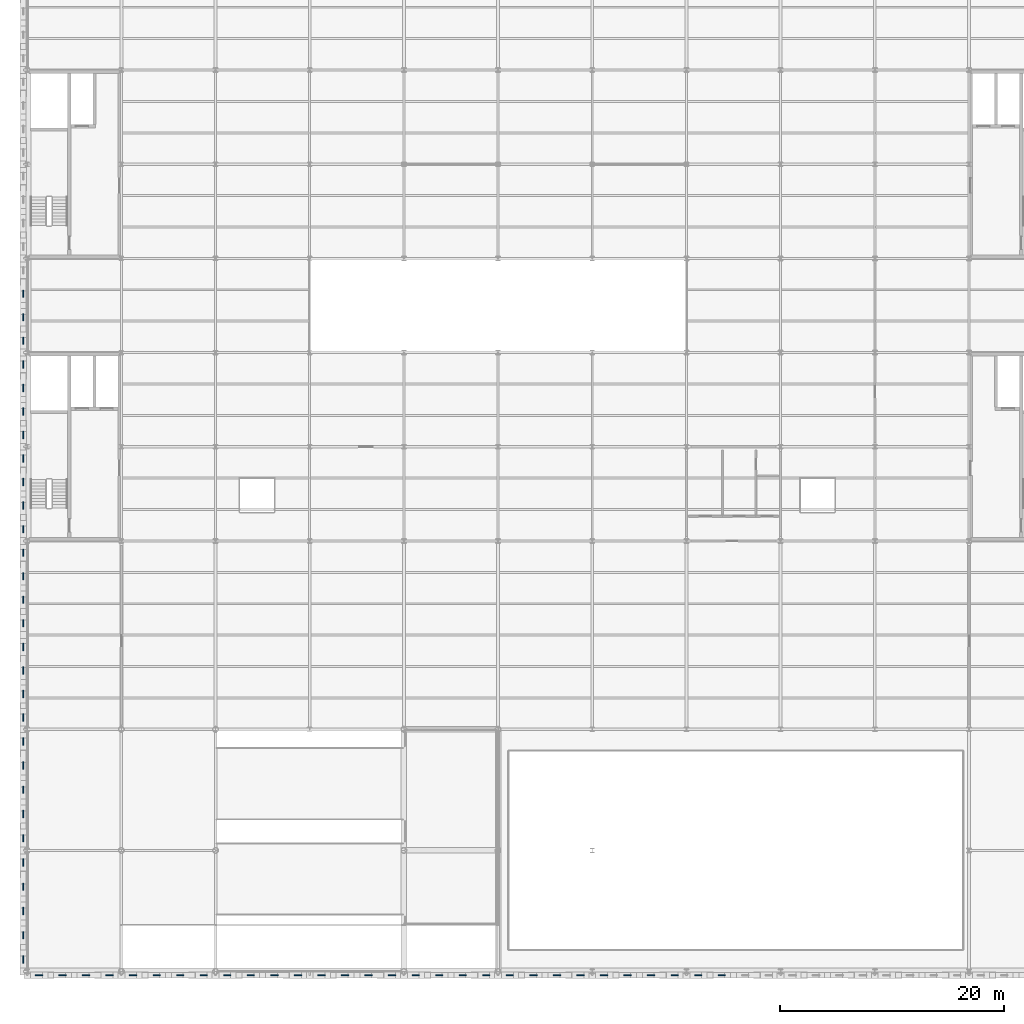
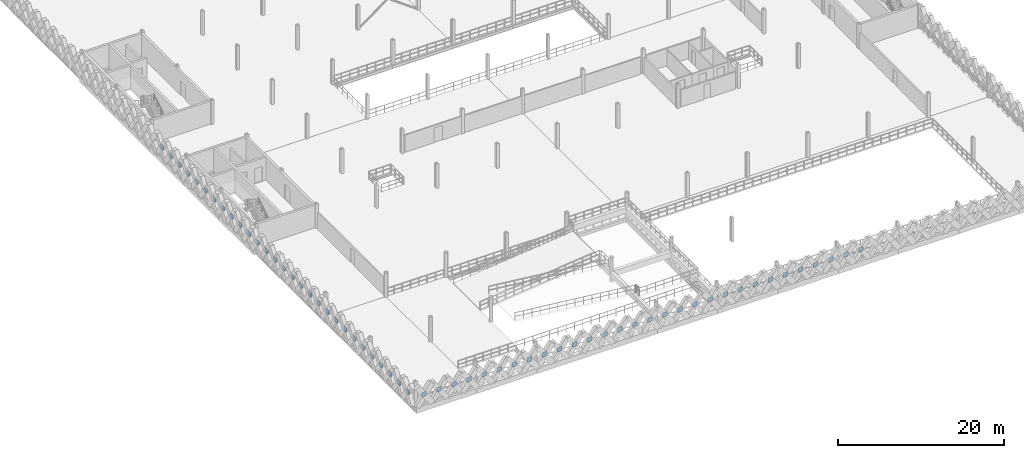
# One storey, part 54 of 79: 59 plates.
"""IFC4 building model written with IfcOpenShell, lengths in metres."""

from ifc_helpers import new_model, si_unit, direction, frame, origin, origin_2d, place, context, subcontext, project, spatial, rectangle, extrude, material, layer, layer_set, type_object, element, save


model = new_model("IFC4")

# Units and contexts
model_context = context("Model", 3, precision=1e-05, world=origin(), true_north=direction((0.0, 1.0)))
body_context = subcontext(model_context, "Body", "Model", "MODEL_VIEW")
ifc_project = project(units=[si_unit("LENGTHUNIT", "METRE"), si_unit("AREAUNIT", "SQUARE_METRE"), si_unit("VOLUMEUNIT", "CUBIC_METRE"), si_unit("PLANEANGLEUNIT", "RADIAN"), si_unit("MASSUNIT", "GRAM", prefix="KILO"), si_unit("THERMODYNAMICTEMPERATUREUNIT", "KELVIN"), si_unit("POWERUNIT", "WATT")], contexts=[model_context])

# Site, building, storey
site_placement = place(None, origin())
site = spatial("IfcSite", under=ifc_project, at=site_placement, CompositionType="ELEMENT")
building_placement = place(site_placement, origin())
building = spatial("IfcBuilding", under=site, at=building_placement, Name="Tembeka Court Mobility Hub", CompositionType="ELEMENT")
storey_placement = place(building_placement, frame((0.0, 0.0, 9.0)))
storey = spatial("IfcBuildingStorey", under=building, at=storey_placement, Name="L02", CompositionType="ELEMENT", Elevation=9.0)

# Plates
ifc_material = material(Name="Precast concrete C45/55", Category="concrete")
ifc_layer = layer(ifc_material, 0.090087890625)
ifc_layer_set = layer_set([ifc_layer], Name="Precast concrete C45/55")
plate_type = type_object("IfcPlateType", Name="PL-PC01", PredefinedType="SHEET", material=ifc_layer_set)
for number, where, z_axis, x_axis, name in (
    (1, (1.050048828125, -0.340087890625, 1.16015625), (0.0, 0.0, 1.0), (1.0, 0.0, 0.0), "Precast diamond lattice node plate PCN01 (L02-189)"),
    (2, (3.14990234375, -0.340087890625, 1.16015625), (0.0, 0.0, 1.0), (1.0, 0.0, 0.0), "Precast diamond lattice node plate PCN01 (L02-190)"),
    (3, (5.25, -0.340087890625, 1.16015625), (0.0, 0.0, 1.0), (1.0, 0.0, 0.0), "Precast diamond lattice node plate PCN01 (L02-191)"),
    (4, (7.35009765625, -0.340087890625, 1.16015625), (0.0, 0.0, 1.0), (1.0, 0.0, 0.0), "Precast diamond lattice node plate PCN01 (L02-192)"),
    (5, (9.449951171875, -0.340087890625, 1.16015625), (0.0, 0.0, 1.0), (1.0, 0.0, 0.0), "Precast diamond lattice node plate PCN01 (L02-193)"),
    (6, (11.550048828125, -0.340087890625, 1.16015625), (0.0, 0.0, 1.0), (1.0, 0.0, 0.0), "Precast diamond lattice node plate PCN01 (L02-194)"),
    (7, (13.64990234375, -0.340087890625, 1.16015625), (0.0, 0.0, 1.0), (1.0, 0.0, 0.0), "Precast diamond lattice node plate PCN01 (L02-195)"),
    (8, (15.75, -0.340087890625, 1.16015625), (0.0, 0.0, 1.0), (1.0, 0.0, 0.0), "Precast diamond lattice node plate PCN01 (L02-196)"),
    (9, (17.85009765625, -0.340087890625, 1.16015625), (0.0, 0.0, 1.0), (1.0, 0.0, 0.0), "Precast diamond lattice node plate PCN01 (L02-197)"),
    (10, (19.949951171875, -0.340087890625, 1.16015625), (0.0, 0.0, 1.0), (1.0, 0.0, 0.0), "Precast diamond lattice node plate PCN01 (L02-198)"),
    (11, (22.050048828125, -0.340087890625, 1.16015625), (0.0, 0.0, 1.0), (1.0, 0.0, 0.0), "Precast diamond lattice node plate PCN01 (L02-199)"),
    (12, (24.14990234375, -0.340087890625, 1.16015625), (0.0, 0.0, 1.0), (1.0, 0.0, 0.0), "Precast diamond lattice node plate PCN01 (L02-200)"),
    (13, (26.25, -0.340087890625, 1.16015625), (0.0, 0.0, 1.0), (1.0, 0.0, 0.0), "Precast diamond lattice node plate PCN01 (L02-201)"),
    (14, (28.35009765625, -0.340087890625, 1.16015625), (0.0, 0.0, 1.0), (1.0, 0.0, 0.0), "Precast diamond lattice node plate PCN01 (L02-202)"),
    (15, (30.449951171875, -0.340087890625, 1.16015625), (0.0, 0.0, 1.0), (1.0, 0.0, 0.0), "Precast diamond lattice node plate PCN01 (L02-203)"),
    (16, (32.550048828125, -0.340087890625, 1.16015625), (0.0, 0.0, 1.0), (1.0, 0.0, 0.0), "Precast diamond lattice node plate PCN01 (L02-204)"),
    (17, (34.64990234375, -0.340087890625, 1.16015625), (0.0, 0.0, 1.0), (1.0, 0.0, 0.0), "Precast diamond lattice node plate PCN01 (L02-205)"),
    (18, (36.75, -0.340087890625, 1.16015625), (0.0, 0.0, 1.0), (1.0, 0.0, 0.0), "Precast diamond lattice node plate PCN01 (L02-206)"),
    (19, (38.85009765625, -0.340087890625, 1.16015625), (0.0, 0.0, 1.0), (1.0, 0.0, 0.0), "Precast diamond lattice node plate PCN01 (L02-207)"),
    (20, (40.949951171875, -0.340087890625, 1.16015625), (0.0, 0.0, 1.0), (1.0, 0.0, 0.0), "Precast diamond lattice node plate PCN01 (L02-208)"),
    (21, (43.050048828125, -0.340087890625, 1.16015625), (0.0, 0.0, 1.0), (1.0, 0.0, 0.0), "Precast diamond lattice node plate PCN01 (L02-209)"),
    (22, (45.14990234375, -0.340087890625, 1.16015625), (0.0, 0.0, 1.0), (1.0, 0.0, 0.0), "Precast diamond lattice node plate PCN01 (L02-210)"),
    (23, (47.25, -0.340087890625, 1.16015625), (0.0, 0.0, 1.0), (1.0, 0.0, 0.0), "Precast diamond lattice node plate PCN01 (L02-211)"),
    (24, (49.35009765625, -0.340087890625, 1.16015625), (0.0, 0.0, 1.0), (1.0, 0.0, 0.0), "Precast diamond lattice node plate PCN01 (L02-212)"),
    (25, (51.449951171875, -0.340087890625, 1.16015625), (0.0, 0.0, 1.0), (1.0, 0.0, 0.0), "Precast diamond lattice node plate PCN01 (L02-213)"),
    (26, (53.550048828125, -0.340087890625, 1.16015625), (0.0, 0.0, 1.0), (1.0, 0.0, 0.0), "Precast diamond lattice node plate PCN01 (L02-214)"),
    (27, (55.64990234375, -0.340087890625, 1.16015625), (0.0, 0.0, 1.0), (1.0, 0.0, 0.0), "Precast diamond lattice node plate PCN01 (L02-215)"),
    (28, (57.75, -0.340087890625, 1.16015625), (0.0, 0.0, 1.0), (1.0, 0.0, 0.0), "Precast diamond lattice node plate PCN01 (L02-216)"),
    (29, (59.85009765625, -0.340087890625, 1.16015625), (0.0, 0.0, 1.0), (1.0, 0.0, 0.0), "Precast diamond lattice node plate PCN01 (L02-217)"),
    (30, (61.949951171875, -0.340087890625, 1.16015625), (0.0, 0.0, 1.0), (1.0, 0.0, 0.0), "Precast diamond lattice node plate PCN01 (L02-218)"),
):
    element("IfcPlate", number, at=place(storey_placement, frame(where, z_axis=z_axis, x_axis=x_axis)), inside=storey, type_object=plate_type, Name=name, PredefinedType="SHEET", context=body_context, shape_type="SweptSolid", body=[
        extrude(rectangle(XDim=0.64990234375, YDim=0.090087890625, at=origin_2d()), origin(), (0.0, 0.0, 1.0), 0.64990234375),
    ])
for number, where, z_axis, x_axis, name in (
    (31, (-0.340087890625, 1.080078125, 1.16015625), (0.0, 0.0, 1.0), (1.0, 0.0, 0.0), "Precast diamond lattice node plate PCN01 (L02-277)"),
    (32, (-0.340087890625, 3.239990234375, 1.16015625), (0.0, 0.0, 1.0), (1.0, 0.0, 0.0), "Precast diamond lattice node plate PCN01 (L02-278)"),
    (33, (-0.340087890625, 5.39990234375, 1.16015625), (0.0, 0.0, 1.0), (1.0, 0.0, 0.0), "Precast diamond lattice node plate PCN01 (L02-279)"),
    (34, (-0.340087890625, 7.56005859375, 1.16015625), (0.0, 0.0, 1.0), (1.0, 0.0, 0.0), "Precast diamond lattice node plate PCN01 (L02-280)"),
    (35, (-0.340087890625, 9.719970703125, 1.16015625), (0.0, 0.0, 1.0), (1.0, 0.0, 0.0), "Precast diamond lattice node plate PCN01 (L02-281)"),
    (36, (-0.340087890625, 11.8798828125, 1.16015625), (0.0, 0.0, 1.0), (1.0, 0.0, 0.0), "Precast diamond lattice node plate PCN01 (L02-282)"),
    (37, (-0.340087890625, 14.0400390625, 1.16015625), (0.0, 0.0, 1.0), (1.0, 0.0, 0.0), "Precast diamond lattice node plate PCN01 (L02-283)"),
    (38, (-0.340087890625, 16.199951171875, 1.16015625), (0.0, 0.0, 1.0), (1.0, 0.0, 0.0), "Precast diamond lattice node plate PCN01 (L02-284)"),
    (39, (-0.340087890625, 18.360107421875, 1.16015625), (0.0, 0.0, 1.0), (1.0, 0.0, 0.0), "Precast diamond lattice node plate PCN01 (L02-285)"),
    (40, (-0.340087890625, 20.52001953125, 1.16015625), (0.0, 0.0, 1.0), (1.0, 0.0, 0.0), "Precast diamond lattice node plate PCN01 (L02-286)"),
    (41, (-0.340087890625, 22.64990234375, 1.16015625), (0.0, 0.0, 1.0), (1.0, 0.0, 0.0), "Precast diamond lattice node plate PCN01 (L02-287)"),
    (42, (-0.340087890625, 24.75, 1.16015625), (0.0, 0.0, 1.0), (1.0, 0.0, 0.0), "Precast diamond lattice node plate PCN01 (L02-288)"),
    (43, (-0.340087890625, 26.85009765625, 1.16015625), (0.0, 0.0, 1.0), (1.0, 0.0, 0.0), "Precast diamond lattice node plate PCN01 (L02-289)"),
    (44, (-0.340087890625, 28.949951171875, 1.16015625), (0.0, 0.0, 1.0), (1.0, 0.0, 0.0), "Precast diamond lattice node plate PCN01 (L02-290)"),
    (45, (-0.340087890625, 31.050048828125, 1.16015625), (0.0, 0.0, 1.0), (1.0, 0.0, 0.0), "Precast diamond lattice node plate PCN01 (L02-291)"),
    (46, (-0.340087890625, 33.14990234375, 1.16015625), (0.0, 0.0, 1.0), (1.0, 0.0, 0.0), "Precast diamond lattice node plate PCN01 (L02-292)"),
    (47, (-0.340087890625, 35.25, 1.16015625), (0.0, 0.0, 1.0), (1.0, 0.0, 0.0), "Precast diamond lattice node plate PCN01 (L02-293)"),
    (48, (-0.340087890625, 37.35009765625, 1.16015625), (0.0, 0.0, 1.0), (1.0, 0.0, 0.0), "Precast diamond lattice node plate PCN01 (L02-294)"),
    (49, (-0.340087890625, 39.449951171875, 1.16015625), (0.0, 0.0, 1.0), (1.0, 0.0, 0.0), "Precast diamond lattice node plate PCN01 (L02-295)"),
    (50, (-0.340087890625, 41.550048828125, 1.16015625), (0.0, 0.0, 1.0), (1.0, 0.0, 0.0), "Precast diamond lattice node plate PCN01 (L02-296)"),
    (51, (-0.340087890625, 43.64990234375, 1.16015625), (0.0, 0.0, 1.0), (1.0, 0.0, 0.0), "Precast diamond lattice node plate PCN01 (L02-297)"),
    (52, (-0.340087890625, 45.75, 1.16015625), (0.0, 0.0, 1.0), (1.0, 0.0, 0.0), "Precast diamond lattice node plate PCN01 (L02-298)"),
    (53, (-0.340087890625, 47.85009765625, 1.16015625), (0.0, 0.0, 1.0), (1.0, 0.0, 0.0), "Precast diamond lattice node plate PCN01 (L02-299)"),
    (54, (-0.340087890625, 49.949951171875, 1.16015625), (0.0, 0.0, 1.0), (1.0, 0.0, 0.0), "Precast diamond lattice node plate PCN01 (L02-300)"),
    (55, (-0.340087890625, 52.050048828125, 1.16015625), (0.0, 0.0, 1.0), (1.0, 0.0, 0.0), "Precast diamond lattice node plate PCN01 (L02-301)"),
    (56, (-0.340087890625, 54.14990234375, 1.16015625), (0.0, 0.0, 1.0), (1.0, 0.0, 0.0), "Precast diamond lattice node plate PCN01 (L02-302)"),
    (57, (-0.340087890625, 56.25, 1.16015625), (0.0, 0.0, 1.0), (1.0, 0.0, 0.0), "Precast diamond lattice node plate PCN01 (L02-303)"),
    (58, (-0.340087890625, 58.35009765625, 1.16015625), (0.0, 0.0, 1.0), (1.0, 0.0, 0.0), "Precast diamond lattice node plate PCN01 (L02-304)"),
    (59, (-0.340087890625, 60.449951171875, 1.16015625), (0.0, 0.0, 1.0), (1.0, 0.0, 0.0), "Precast diamond lattice node plate PCN01 (L02-305)"),
):
    element("IfcPlate", number, at=place(storey_placement, frame(where, z_axis=z_axis, x_axis=x_axis)), inside=storey, type_object=plate_type, Name=name, PredefinedType="SHEET", context=body_context, shape_type="SweptSolid", body=[
        extrude(rectangle(XDim=0.090087890625, YDim=0.64990234375, at=origin_2d()), origin(), (0.0, 0.0, 1.0), 0.64990234375),
    ])

save(model, "model.ifc")
